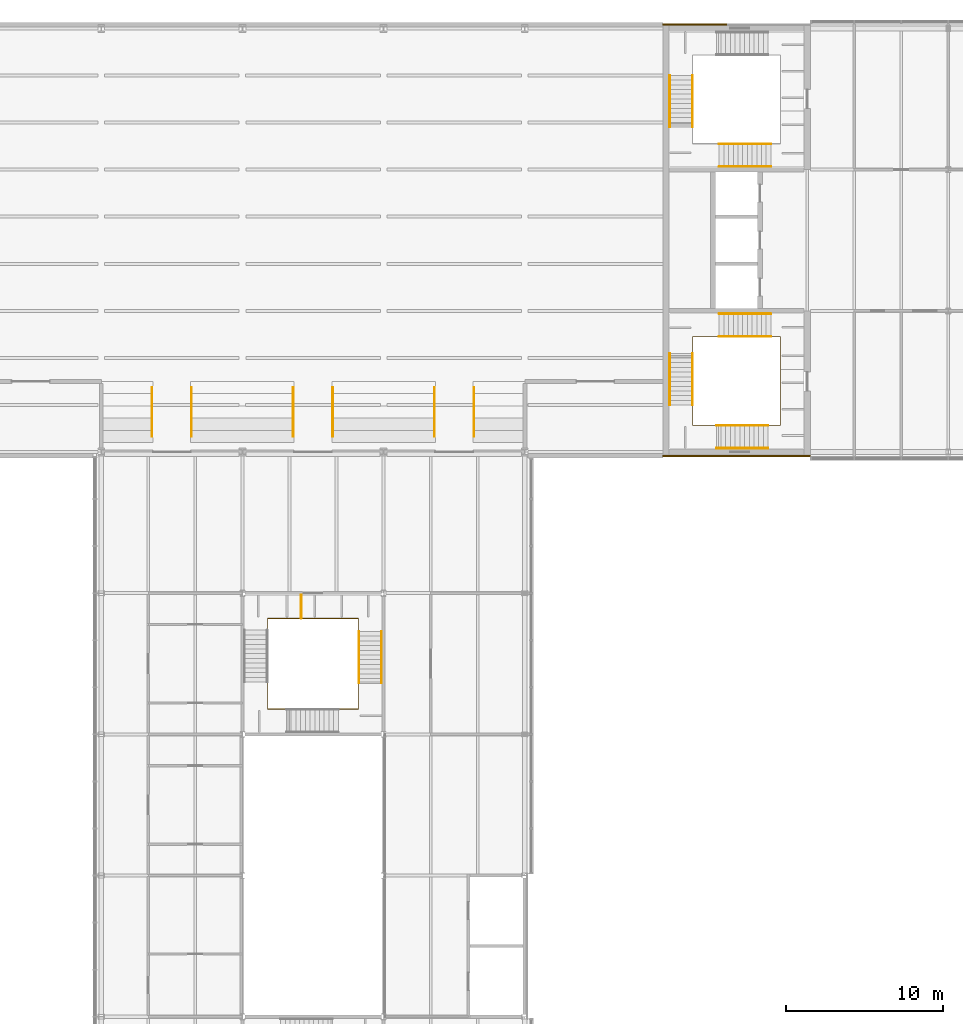
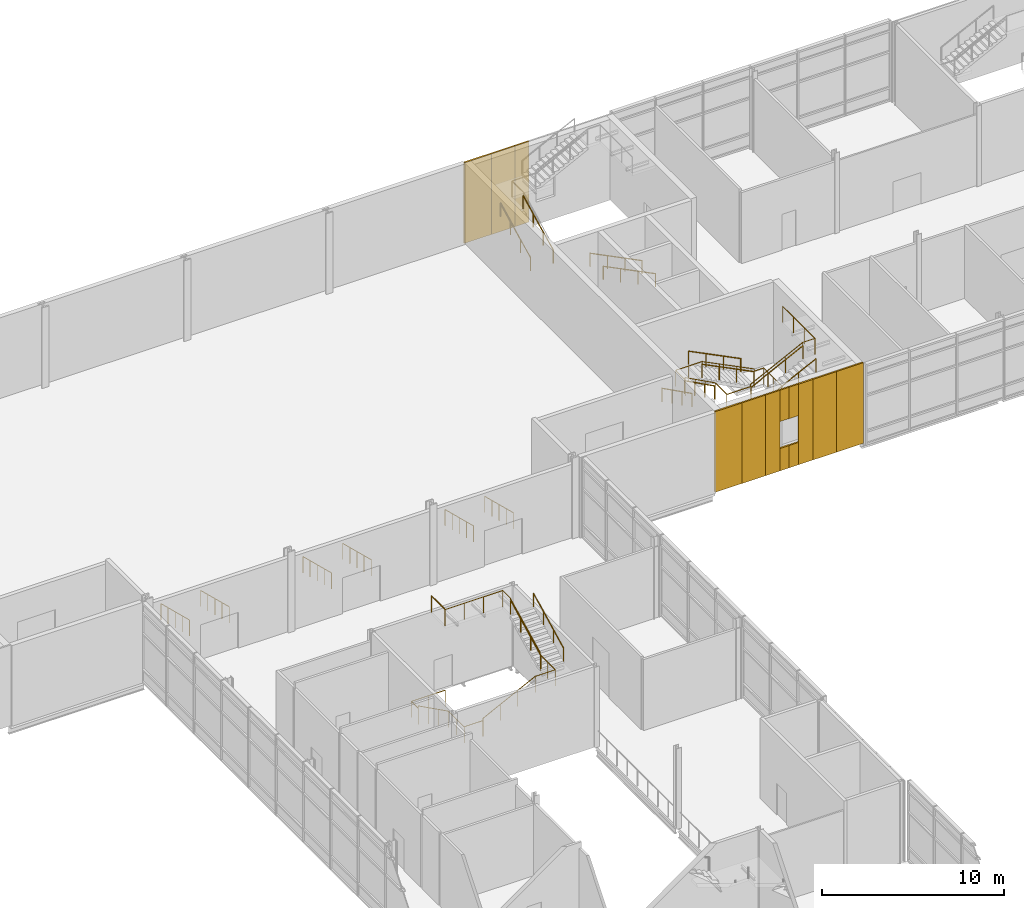
# One storey, part 49 of 52: 21 railings, 13 coverings.
"""IFC4 building model written with IfcOpenShell, lengths in metres."""

from ifc_helpers import new_model, si_unit, direction, frame, origin, origin_2d, place, context, subcontext, project, spatial, rectangle, circle, extrude, material, layer, layer_set, type_object, element, save


model = new_model("IFC4")

# Units and contexts
model_context = context("Model", 3, precision=1e-05, world=origin(), true_north=direction((0.0, 1.0)))
body_context = subcontext(model_context, "Body", "Model", "MODEL_VIEW")
ifc_project = project(units=[si_unit("LENGTHUNIT", "METRE"), si_unit("AREAUNIT", "SQUARE_METRE"), si_unit("VOLUMEUNIT", "CUBIC_METRE"), si_unit("PLANEANGLEUNIT", "RADIAN"), si_unit("MASSUNIT", "GRAM", prefix="KILO")], contexts=[model_context])

# Site, building, storey
site_placement = place(None, origin())
site = spatial("IfcSite", under=ifc_project, at=site_placement, CompositionType="ELEMENT")
building_placement = place(site_placement, origin())
building = spatial("IfcBuilding", under=site, at=building_placement, Name="Azimuth Sports and Learning Centre", CompositionType="ELEMENT")
storey_placement = place(building_placement, frame((0.0, 0.0, 16.199951171875)))
storey = spatial("IfcBuildingStorey", under=building, at=storey_placement, Name="L03", CompositionType="ELEMENT", Elevation=16.199951171875)

# Coverings
ifc_material_1 = material(Name="Cladding panel")
ifc_layer = layer(ifc_material_1, 0.10009765625)
ifc_layer_set = layer_set([ifc_layer], Name="Cladding panel")
covering_type = type_object("IfcCoveringType", Name="Cladding panel 100", PredefinedType="CLADDING", material=ifc_layer_set)
covering_1_placement = place(storey_placement, frame((108.64990234375, 89.75, 0.0), z_axis=(0.0, 0.0, 1.0), x_axis=(1.0, 0.0, 0.0)))
element("IfcCovering", 1, at=covering_1_placement, inside=storey, type_object=covering_type, Name="Cladding panel S-CORE E L03 1", PredefinedType="CLADDING", context=body_context, shape_type="SweptSolid", body=[
    extrude(rectangle(XDim=1.699951171875, YDim=0.10009765625, at=origin_2d()), origin(), (0.0, 0.0, 1.0), 5.39990234375),
])
covering_2_placement = place(storey_placement, frame((110.25, 89.75, 0.0), z_axis=(0.0, 0.0, 1.0), x_axis=(1.0, 0.0, 0.0)))
element("IfcCovering", 2, at=covering_2_placement, inside=storey, type_object=covering_type, Name="Cladding panel S-CORE E L03 2", PredefinedType="CLADDING", context=body_context, shape_type="SweptSolid", body=[
    extrude(rectangle(XDim=1.5, YDim=0.10009765625, at=origin_2d()), origin(), (0.0, 0.0, 1.0), 5.39990234375),
])
covering_3_placement = place(storey_placement, frame((111.449951171875, 89.75, 0.0), z_axis=(0.0, 0.0, 1.0), x_axis=(1.0, 0.0, 0.0)))
element("IfcCovering", 3, at=covering_3_placement, inside=storey, type_object=covering_type, Name="Cladding panel S-CORE E L03 3", PredefinedType="CLADDING", context=body_context, shape_type="SweptSolid", body=[
    extrude(rectangle(XDim=0.89990234375, YDim=0.10009765625, at=origin_2d()), origin(), (0.0, 0.0, 1.0), 5.39990234375),
])
covering_4_placement = place(storey_placement, frame((112.199951171875, 89.75, 0.0), z_axis=(0.0, 0.0, 1.0), x_axis=(1.0, 0.0, 0.0)))
element("IfcCovering", 4, at=covering_4_placement, inside=storey, type_object=covering_type, Name="Cladding panel S-CORE E L03 4", PredefinedType="CLADDING", context=body_context, shape_type="SweptSolid", body=[
    extrude(rectangle(XDim=0.60009765625, YDim=0.10009765625, at=origin_2d()), origin(), (0.0, 0.0, 1.0), 1.5),
])
covering_5_placement = place(storey_placement, frame((112.199951171875, 89.75, 3.300048828125), z_axis=(0.0, 0.0, 1.0), x_axis=(1.0, 0.0, 0.0)))
element("IfcCovering", 5, at=covering_5_placement, inside=storey, type_object=covering_type, Name="Cladding panel S-CORE E L03 5", PredefinedType="CLADDING", context=body_context, shape_type="SweptSolid", body=[
    extrude(rectangle(XDim=0.60009765625, YDim=0.10009765625, at=origin_2d()), origin(), (0.0, 0.0, 1.0), 2.10009765625),
])
covering_6_placement = place(storey_placement, frame((113.550048828125, 89.75, 0.0), z_axis=(0.0, 0.0, 1.0), x_axis=(1.0, 0.0, 0.0)))
element("IfcCovering", 6, at=covering_6_placement, inside=storey, type_object=covering_type, Name="Cladding panel S-CORE E L03 6", PredefinedType="CLADDING", context=body_context, shape_type="SweptSolid", body=[
    extrude(rectangle(XDim=0.89990234375, YDim=0.10009765625, at=origin_2d()), origin(), (0.0, 0.0, 1.0), 5.39990234375),
])
covering_7_placement = place(storey_placement, frame((112.800048828125, 89.75, 0.0), z_axis=(0.0, 0.0, 1.0), x_axis=(1.0, 0.0, 0.0)))
element("IfcCovering", 7, at=covering_7_placement, inside=storey, type_object=covering_type, Name="Cladding panel S-CORE E L03 7", PredefinedType="CLADDING", context=body_context, shape_type="SweptSolid", body=[
    extrude(rectangle(XDim=0.60009765625, YDim=0.10009765625, at=origin_2d()), origin(), (0.0, 0.0, 1.0), 1.5),
])
covering_8_placement = place(storey_placement, frame((112.800048828125, 89.75, 3.300048828125), z_axis=(0.0, 0.0, 1.0), x_axis=(1.0, 0.0, 0.0)))
element("IfcCovering", 8, at=covering_8_placement, inside=storey, type_object=covering_type, Name="Cladding panel S-CORE E L03 8", PredefinedType="CLADDING", context=body_context, shape_type="SweptSolid", body=[
    extrude(rectangle(XDim=0.60009765625, YDim=0.10009765625, at=origin_2d()), origin(), (0.0, 0.0, 1.0), 2.10009765625),
])
covering_9_placement = place(storey_placement, frame((114.75, 89.75, 0.0), z_axis=(0.0, 0.0, 1.0), x_axis=(1.0, 0.0, 0.0)))
element("IfcCovering", 9, at=covering_9_placement, inside=storey, type_object=covering_type, Name="Cladding panel S-CORE E L03 9", PredefinedType="CLADDING", context=body_context, shape_type="SweptSolid", body=[
    extrude(rectangle(XDim=1.5, YDim=0.10009765625, at=origin_2d()), origin(), (0.0, 0.0, 1.0), 5.39990234375),
])
covering_10_placement = place(storey_placement, frame((116.35009765625, 89.75, 0.0), z_axis=(0.0, 0.0, 1.0), x_axis=(1.0, 0.0, 0.0)))
element("IfcCovering", 10, at=covering_10_placement, inside=storey, type_object=covering_type, Name="Cladding panel S-CORE E L03 10", PredefinedType="CLADDING", context=body_context, shape_type="SweptSolid", body=[
    extrude(rectangle(XDim=1.699951171875, YDim=0.10009765625, at=origin_2d()), origin(), (0.0, 0.0, 1.0), 5.39990234375),
])
covering_11_placement = place(storey_placement, frame((111.449951171875, 117.25, 0.0), z_axis=(0.0, 0.0, 1.0), x_axis=(-1.0, 0.0, 0.0)))
element("IfcCovering", 11, at=covering_11_placement, inside=storey, type_object=covering_type, Name="Cladding panel N-CORE E L03 6", PredefinedType="CLADDING", context=body_context, shape_type="SweptSolid", body=[
    extrude(rectangle(XDim=0.89990234375, YDim=0.10009765625, at=origin_2d()), origin(), (0.0, 0.0, 1.0), 5.39990234375),
])
covering_12_placement = place(storey_placement, frame((110.25, 117.25, 0.0), z_axis=(0.0, 0.0, 1.0), x_axis=(-1.0, 0.0, 0.0)))
element("IfcCovering", 12, at=covering_12_placement, inside=storey, type_object=covering_type, Name="Cladding panel N-CORE E L03 9", PredefinedType="CLADDING", context=body_context, shape_type="SweptSolid", body=[
    extrude(rectangle(XDim=1.5, YDim=0.10009765625, at=origin_2d()), origin(), (0.0, 0.0, 1.0), 5.39990234375),
])
covering_13_placement = place(storey_placement, frame((108.64990234375, 117.25, 0.0), z_axis=(0.0, 0.0, 1.0), x_axis=(-1.0, 0.0, 0.0)))
element("IfcCovering", 13, at=covering_13_placement, inside=storey, type_object=covering_type, Name="Cladding panel N-CORE E L03 10", PredefinedType="CLADDING", context=body_context, shape_type="SweptSolid", body=[
    extrude(rectangle(XDim=1.699951171875, YDim=0.10009765625, at=origin_2d()), origin(), (0.0, 0.0, 1.0), 5.39990234375),
])

# Railings
ifc_material_2 = material(Name="Steel balustrade", Category="steel")
railing_type_1 = type_object("IfcRailingType", Name="Guard 1100", PredefinedType="GUARDRAIL", material=ifc_material_2)
for number, where, name in (
    (14, (75.239990234375, 94.110107421875, 0.199951171875), "Bank aisle guard B1"),
    (15, (77.760009765625, 94.110107421875, 0.199951171875), "Bank aisle guard B2"),
    (16, (84.239990234375, 94.110107421875, 0.199951171875), "Bank aisle guard B3"),
    (17, (86.760009765625, 94.110107421875, 0.199951171875), "Bank aisle guard B4"),
    (18, (93.239990234375, 94.110107421875, 0.199951171875), "Bank aisle guard B5"),
    (19, (95.760009765625, 94.110107421875, 0.199951171875), "Bank aisle guard B6"),
):
    element("IfcRailing", number, at=place(storey_placement, frame(where)), inside=storey, type_object=railing_type_1, Name=name, PredefinedType="GUARDRAIL", context=body_context, shape_type="SweptSolid", body=[
        extrude(circle(Radius=0.02392578125, at=origin_2d()), frame((0.0, 0.0, 1.076171875), z_axis=(0.0, -0.968607734554, 0.248594160355), x_axis=(1.0, 0.0, 0.0)), (0.0, 0.0, 1.0), 0.805419921875),
        extrude(circle(Radius=0.02392578125, at=origin_2d()), frame((0.0, -0.780029296875, 1.2763671875), z_axis=(0.0, -0.96868069712, 0.248309699825), x_axis=(1.0, 0.0, 0.0)), (0.0, 0.0, 1.0), 0.80517578125),
        extrude(circle(Radius=0.02392578125, at=origin_2d()), frame((0.0, -1.56005859375, 1.47607421875), z_axis=(0.0, -0.96868069712, 0.248309699825), x_axis=(1.0, 0.0, 0.0)), (0.0, 0.0, 1.0), 0.80517578125),
        extrude(circle(Radius=0.02392578125, at=origin_2d()), frame((0.0, -2.340087890625, 1.67626953125), z_axis=(0.0, -0.96868069712, 0.248309699825), x_axis=(1.0, 0.0, 0.0)), (0.0, 0.0, 1.0), 0.80517578125),
        extrude(circle(Radius=0.02099609375, at=origin_2d()), origin(), (0.0, 0.0, 1.0), 1.052001953125),
        extrude(circle(Radius=0.02099609375, at=origin_2d()), frame((0.0, -0.780029296875, 0.2001953125)), (0.0, 0.0, 1.0), 1.052001953125),
        extrude(circle(Radius=0.02099609375, at=origin_2d()), frame((0.0, -1.56005859375, 0.400146484375)), (0.0, 0.0, 1.0), 1.052001953125),
        extrude(circle(Radius=0.02099609375, at=origin_2d()), frame((0.0, -2.340087890625, 0.60009765625)), (0.0, 0.0, 1.0), 1.052001953125),
        extrude(circle(Radius=0.02099609375, at=origin_2d()), frame((0.0, -3.1201171875, 0.800048828125)), (0.0, 0.0, 1.0), 1.052001953125),
    ])
ifc_material_3 = material(Name="Stainless steel", Category="steel")
railing_type_2 = type_object("IfcRailingType", Name="Stair guard 1100", PredefinedType="GUARDRAIL", material=ifc_material_3)
railing_1_placement = place(storey_placement, frame((115.2900390625, 95.25, 0.0)))
element("IfcRailing", 20, at=railing_1_placement, inside=storey, type_object=railing_type_2, Name="Guard E1 L03 well", PredefinedType="GUARDRAIL", context=body_context, shape_type="SweptSolid", body=[
    extrude(circle(Radius=0.02392578125, at=origin_2d()), frame((0.0, 0.0, 1.076171875), z_axis=(0.0, 1.0, 0.0), x_axis=(-1.0, 0.0, 0.0)), (0.0, 0.0, 1.0), 2.090087890625),
    extrude(circle(Radius=0.02392578125, at=origin_2d()), frame((0.0, 2.090087890625, 1.076171875), z_axis=(-1.0, 0.0, 0.0), x_axis=(0.0, -1.0, 0.0)), (0.0, 0.0, 1.0), 0.60009765625),
    extrude(circle(Radius=0.02392578125, at=origin_2d()), frame((-0.60009765625, 2.090087890625, 1.076171875), z_axis=(0.0, 0.0, 1.0), x_axis=(1.0, 0.0, 0.0)), (0.0, 0.0, 1.0), 0.150146484375),
    extrude(circle(Radius=0.02392578125, at=origin_2d()), frame((-0.60009765625, 2.090087890625, 1.22607421875), z_axis=(-0.894440424912, 0.0, 0.447187126696), x_axis=(0.0, -1.0, 0.0)), (0.0, 0.0, 1.0), 3.689453125),
    extrude(circle(Radius=0.02392578125, at=origin_2d()), frame((-3.900146484375, 2.090087890625, 2.8759765625), z_axis=(-1.0, 0.0, 0.0), x_axis=(0.0, -1.0, 0.0)), (0.0, 0.0, 1.0), 1.679931640625),
    extrude(circle(Radius=0.02392578125, at=origin_2d()), frame((-5.580078125, 2.090087890625, 2.8759765625), z_axis=(0.0, -1.0, 0.0), x_axis=(1.0, 0.0, 0.0)), (0.0, 0.0, 1.0), 1.050048828125),
    extrude(circle(Radius=0.02392578125, at=origin_2d()), frame((-5.580078125, 1.0400390625, 2.8759765625), z_axis=(0.0, 0.0, 1.0), x_axis=(1.0, 0.0, 0.0)), (0.0, 0.0, 1.0), 0.14990234375),
    extrude(circle(Radius=0.02392578125, at=origin_2d()), frame((-5.580078125, 1.0400390625, 3.02587890625), z_axis=(0.0, -0.894413956696, 0.447240063129), x_axis=(1.0, 0.0, 0.0)), (0.0, 0.0, 1.0), 3.689697265625),
    extrude(circle(Radius=0.02392578125, at=origin_2d()), frame((-5.580078125, -2.260009765625, 4.67626953125), z_axis=(0.0, -1.0, 0.0), x_axis=(1.0, 0.0, 0.0)), (0.0, 0.0, 1.0), 1.280029296875),
    extrude(circle(Radius=0.02392578125, at=origin_2d()), frame((-5.580078125, -3.5400390625, 4.67626953125), z_axis=(1.0, 0.0, 0.0), x_axis=(0.0, 1.0, 0.0)), (0.0, 0.0, 1.0), 1.5),
    extrude(circle(Radius=0.02392578125, at=origin_2d()), frame((-4.080078125, -3.5400390625, 4.67626953125), z_axis=(0.0, 0.0, 1.0), x_axis=(1.0, 0.0, 0.0)), (0.0, 0.0, 1.0), 0.14990234375),
    extrude(circle(Radius=0.02392578125, at=origin_2d()), frame((-4.080078125, -3.5400390625, 4.826171875), z_axis=(0.894413956696, 0.0, 0.447240063129), x_axis=(0.0, 1.0, 0.0)), (0.0, 0.0, 1.0), 3.689697265625),
    extrude(circle(Radius=0.02392578125, at=origin_2d()), frame((-0.780029296875, -3.5400390625, 6.47607421875), z_axis=(1.0, 0.0, 0.0), x_axis=(0.0, 1.0, 0.0)), (0.0, 0.0, 1.0), 0.780029296875),
    extrude(circle(Radius=0.02392578125, at=origin_2d()), frame((0.0, -3.5400390625, 6.47607421875), z_axis=(0.0, 1.0, 0.0), x_axis=(-1.0, 0.0, 0.0)), (0.0, 0.0, 1.0), 3.5400390625),
    extrude(circle(Radius=0.01611328125, at=origin_2d()), origin(), (0.0, 0.0, 1.0), 1.052001953125),
    extrude(circle(Radius=0.01611328125, at=origin_2d()), frame((0.0, 1.044921875, 0.0)), (0.0, 0.0, 1.0), 1.052001953125),
    extrude(circle(Radius=0.01611328125, at=origin_2d()), frame((0.0, 2.090087890625, 0.0)), (0.0, 0.0, 1.0), 1.052001953125),
    extrude(circle(Radius=0.01611328125, at=origin_2d()), frame((-0.60009765625, 2.090087890625, 0.0)), (0.0, 0.0, 1.0), 1.052001953125),
    extrude(circle(Radius=0.01611328125, at=origin_2d()), frame((-0.60009765625, 2.090087890625, 0.150146484375)), (0.0, 0.0, 1.0), 1.052001953125),
    extrude(circle(Radius=0.01611328125, at=origin_2d()), frame((-1.7001953125, 2.090087890625, 0.7001953125)), (0.0, 0.0, 1.0), 1.052001953125),
    extrude(circle(Radius=0.01611328125, at=origin_2d()), frame((-2.800048828125, 2.090087890625, 1.25)), (0.0, 0.0, 1.0), 1.052001953125),
    extrude(circle(Radius=0.01611328125, at=origin_2d()), frame((-3.900146484375, 2.090087890625, 1.800048828125)), (0.0, 0.0, 1.0), 1.052001953125),
    extrude(circle(Radius=0.01611328125, at=origin_2d()), frame((-4.740234375, 2.090087890625, 1.800048828125)), (0.0, 0.0, 1.0), 1.052001953125),
    extrude(circle(Radius=0.01611328125, at=origin_2d()), frame((-5.580078125, 2.090087890625, 1.800048828125)), (0.0, 0.0, 1.0), 1.052001953125),
    extrude(circle(Radius=0.01611328125, at=origin_2d()), frame((-5.580078125, 1.0400390625, 1.800048828125)), (0.0, 0.0, 1.0), 1.052001953125),
    extrude(circle(Radius=0.01611328125, at=origin_2d()), frame((-5.580078125, 1.0400390625, 1.949951171875)), (0.0, 0.0, 1.0), 1.052001953125),
    extrude(circle(Radius=0.01611328125, at=origin_2d()), frame((-5.580078125, -0.06005859375, 2.5)), (0.0, 0.0, 1.0), 1.052001953125),
    extrude(circle(Radius=0.01611328125, at=origin_2d()), frame((-5.580078125, -1.159912109375, 3.050048828125)), (0.0, 0.0, 1.0), 1.052001953125),
    extrude(circle(Radius=0.01611328125, at=origin_2d()), frame((-5.580078125, -2.260009765625, 3.60009765625)), (0.0, 0.0, 1.0), 1.052001953125),
    extrude(circle(Radius=0.01611328125, at=origin_2d()), frame((-5.580078125, -3.5400390625, 3.60009765625)), (0.0, 0.0, 1.0), 1.052001953125),
    extrude(circle(Radius=0.01611328125, at=origin_2d()), frame((-4.080078125, -3.5400390625, 3.60009765625)), (0.0, 0.0, 1.0), 1.052001953125),
    extrude(circle(Radius=0.01611328125, at=origin_2d()), frame((-4.080078125, -3.5400390625, 3.75)), (0.0, 0.0, 1.0), 1.052001953125),
    extrude(circle(Radius=0.01611328125, at=origin_2d()), frame((-2.97998046875, -3.5400390625, 4.300048828125)), (0.0, 0.0, 1.0), 1.052001953125),
    extrude(circle(Radius=0.01611328125, at=origin_2d()), frame((-1.880126953125, -3.5400390625, 4.85009765625)), (0.0, 0.0, 1.0), 1.052001953125),
    extrude(circle(Radius=0.01611328125, at=origin_2d()), frame((-0.780029296875, -3.5400390625, 5.400146484375)), (0.0, 0.0, 1.0), 1.052001953125),
    extrude(circle(Radius=0.01611328125, at=origin_2d()), frame((0.0, -3.5400390625, 5.400146484375)), (0.0, 0.0, 1.0), 1.052001953125),
    extrude(circle(Radius=0.01611328125, at=origin_2d()), frame((0.0, -2.360107421875, 5.400146484375)), (0.0, 0.0, 1.0), 1.052001953125),
    extrude(circle(Radius=0.01611328125, at=origin_2d()), frame((0.0, -1.179931640625, 5.400146484375)), (0.0, 0.0, 1.0), 1.052001953125),
    extrude(circle(Radius=0.01611328125, at=origin_2d()), frame((0.0, 0.0, 5.400146484375)), (0.0, 0.0, 1.0), 1.052001953125),
])
railing_2_placement = place(storey_placement, frame((84.75, 79.389892578125, 0.0)))
element("IfcRailing", 21, at=railing_2_placement, inside=storey, type_object=railing_type_2, Name="Guard STD L03 well", PredefinedType="GUARDRAIL", context=body_context, shape_type="SweptSolid", body=[
    extrude(circle(Radius=0.02392578125, at=origin_2d()), frame((0.0, 0.0, 1.076171875), z_axis=(-1.0, 0.0, 0.0), x_axis=(0.0, -1.0, 0.0)), (0.0, 0.0, 1.0), 2.139892578125),
    extrude(circle(Radius=0.02392578125, at=origin_2d()), frame((-2.139892578125, 0.0, 1.076171875), z_axis=(0.0, -1.0, 0.0), x_axis=(1.0, 0.0, 0.0)), (0.0, 0.0, 1.0), 0.75),
    extrude(circle(Radius=0.02392578125, at=origin_2d()), frame((-2.139892578125, -0.75, 1.076171875), z_axis=(0.0, 0.0, 1.0), x_axis=(1.0, 0.0, 0.0)), (0.0, 0.0, 1.0), 0.150146484375),
    extrude(circle(Radius=0.02392578125, at=origin_2d()), frame((-2.139892578125, -0.75, 1.22607421875), z_axis=(0.0, -0.894427191, 0.4472135955), x_axis=(1.0, 0.0, 0.0)), (0.0, 0.0, 1.0), 3.689208984375),
    extrude(circle(Radius=0.02392578125, at=origin_2d()), frame((-2.139892578125, -4.0498046875, 2.8759765625), z_axis=(0.0, -1.0, 0.0), x_axis=(1.0, 0.0, 0.0)), (0.0, 0.0, 1.0), 1.72998046875),
    extrude(circle(Radius=0.02392578125, at=origin_2d()), frame((-2.139892578125, -5.77978515625, 2.8759765625), z_axis=(1.0, 0.0, 0.0), x_axis=(0.0, 1.0, 0.0)), (0.0, 0.0, 1.0), 1.199951171875),
    extrude(circle(Radius=0.02392578125, at=origin_2d()), frame((-0.93994140625, -5.77978515625, 2.8759765625), z_axis=(0.0, 0.0, 1.0), x_axis=(1.0, 0.0, 0.0)), (0.0, 0.0, 1.0), 0.14990234375),
    extrude(circle(Radius=0.02392578125, at=origin_2d()), frame((-0.93994140625, -5.77978515625, 3.02587890625), z_axis=(0.894413956696, 0.0, 0.447240063129), x_axis=(0.0, 1.0, 0.0)), (0.0, 0.0, 1.0), 3.689697265625),
    extrude(circle(Radius=0.02392578125, at=origin_2d()), frame((2.360107421875, -5.77978515625, 4.67626953125), z_axis=(1.0, 0.0, 0.0), x_axis=(0.0, 1.0, 0.0)), (0.0, 0.0, 1.0), 1.27978515625),
    extrude(circle(Radius=0.02392578125, at=origin_2d()), frame((3.639892578125, -5.77978515625, 4.67626953125), z_axis=(0.0, 1.0, 0.0), x_axis=(-1.0, 0.0, 0.0)), (0.0, 0.0, 1.0), 1.64990234375),
    extrude(circle(Radius=0.02392578125, at=origin_2d()), frame((3.639892578125, -4.1298828125, 4.67626953125), z_axis=(0.0, 0.0, 1.0), x_axis=(1.0, 0.0, 0.0)), (0.0, 0.0, 1.0), 0.14990234375),
    extrude(circle(Radius=0.02392578125, at=origin_2d()), frame((3.639892578125, -4.1298828125, 4.826171875), z_axis=(0.0, 0.894413956696, 0.447240063129), x_axis=(-1.0, 0.0, 0.0)), (0.0, 0.0, 1.0), 3.689697265625),
    extrude(circle(Radius=0.02392578125, at=origin_2d()), frame((3.639892578125, -0.829833984375, 6.47607421875), z_axis=(0.0, 1.0, 0.0), x_axis=(-1.0, 0.0, 0.0)), (0.0, 0.0, 1.0), 0.829833984375),
    extrude(circle(Radius=0.02392578125, at=origin_2d()), frame((3.639892578125, 0.0, 6.47607421875), z_axis=(-1.0, 0.0, 0.0), x_axis=(0.0, -1.0, 0.0)), (0.0, 0.0, 1.0), 3.639892578125),
    extrude(circle(Radius=0.01611328125, at=origin_2d()), origin(), (0.0, 0.0, 1.0), 1.052001953125),
    extrude(circle(Radius=0.01611328125, at=origin_2d()), frame((-1.06982421875, 0.0, 0.0)), (0.0, 0.0, 1.0), 1.052001953125),
    extrude(circle(Radius=0.01611328125, at=origin_2d()), frame((-2.139892578125, 0.0, 0.0)), (0.0, 0.0, 1.0), 1.052001953125),
    extrude(circle(Radius=0.01611328125, at=origin_2d()), frame((-2.139892578125, -0.75, 0.0)), (0.0, 0.0, 1.0), 1.052001953125),
    extrude(circle(Radius=0.01611328125, at=origin_2d()), frame((-2.139892578125, -0.75, 0.150146484375)), (0.0, 0.0, 1.0), 1.052001953125),
    extrude(circle(Radius=0.01611328125, at=origin_2d()), frame((-2.139892578125, -1.849853515625, 0.7001953125)), (0.0, 0.0, 1.0), 1.052001953125),
    extrude(circle(Radius=0.01611328125, at=origin_2d()), frame((-2.139892578125, -2.949951171875, 1.25)), (0.0, 0.0, 1.0), 1.052001953125),
    extrude(circle(Radius=0.01611328125, at=origin_2d()), frame((-2.139892578125, -4.0498046875, 1.800048828125)), (0.0, 0.0, 1.0), 1.052001953125),
    extrude(circle(Radius=0.01611328125, at=origin_2d()), frame((-2.139892578125, -4.914794921875, 1.800048828125)), (0.0, 0.0, 1.0), 1.052001953125),
    extrude(circle(Radius=0.01611328125, at=origin_2d()), frame((-2.139892578125, -5.77978515625, 1.800048828125)), (0.0, 0.0, 1.0), 1.052001953125),
    extrude(circle(Radius=0.01611328125, at=origin_2d()), frame((-0.93994140625, -5.77978515625, 1.800048828125)), (0.0, 0.0, 1.0), 1.052001953125),
    extrude(circle(Radius=0.01611328125, at=origin_2d()), frame((-0.93994140625, -5.77978515625, 1.949951171875)), (0.0, 0.0, 1.0), 1.052001953125),
    extrude(circle(Radius=0.01611328125, at=origin_2d()), frame((0.16015625, -5.77978515625, 2.5)), (0.0, 0.0, 1.0), 1.052001953125),
    extrude(circle(Radius=0.01611328125, at=origin_2d()), frame((1.260009765625, -5.77978515625, 3.050048828125)), (0.0, 0.0, 1.0), 1.052001953125),
    extrude(circle(Radius=0.01611328125, at=origin_2d()), frame((2.360107421875, -5.77978515625, 3.60009765625)), (0.0, 0.0, 1.0), 1.052001953125),
    extrude(circle(Radius=0.01611328125, at=origin_2d()), frame((3.639892578125, -5.77978515625, 3.60009765625)), (0.0, 0.0, 1.0), 1.052001953125),
    extrude(circle(Radius=0.01611328125, at=origin_2d()), frame((3.639892578125, -4.954833984375, 3.60009765625)), (0.0, 0.0, 1.0), 1.052001953125),
    extrude(circle(Radius=0.01611328125, at=origin_2d()), frame((3.639892578125, -4.1298828125, 3.60009765625)), (0.0, 0.0, 1.0), 1.052001953125),
    extrude(circle(Radius=0.01611328125, at=origin_2d()), frame((3.639892578125, -4.1298828125, 3.75)), (0.0, 0.0, 1.0), 1.052001953125),
    extrude(circle(Radius=0.01611328125, at=origin_2d()), frame((3.639892578125, -3.02978515625, 4.300048828125)), (0.0, 0.0, 1.0), 1.052001953125),
    extrude(circle(Radius=0.01611328125, at=origin_2d()), frame((3.639892578125, -1.929931640625, 4.85009765625)), (0.0, 0.0, 1.0), 1.052001953125),
    extrude(circle(Radius=0.01611328125, at=origin_2d()), frame((3.639892578125, -0.829833984375, 5.400146484375)), (0.0, 0.0, 1.0), 1.052001953125),
    extrude(circle(Radius=0.01611328125, at=origin_2d()), frame((3.639892578125, 0.0, 5.400146484375)), (0.0, 0.0, 1.0), 1.052001953125),
    extrude(circle(Radius=0.01611328125, at=origin_2d()), frame((2.426513671875, 0.0, 5.400146484375)), (0.0, 0.0, 1.0), 1.052001953125),
    extrude(circle(Radius=0.01611328125, at=origin_2d()), frame((1.21337890625, 0.0, 5.400146484375)), (0.0, 0.0, 1.0), 1.052001953125),
    extrude(circle(Radius=0.01611328125, at=origin_2d()), frame((0.0, 0.0, 5.400146484375)), (0.0, 0.0, 1.0), 1.052001953125),
])
railing_3_placement = place(storey_placement, frame((84.75, 79.389892578125, 5.400146484375)))
element("IfcRailing", 22, at=railing_3_placement, inside=storey, type_object=railing_type_2, Name="Guard STD L03 top landing end", PredefinedType="GUARDRAIL", context=body_context, shape_type="SweptSolid", body=[
    extrude(circle(Radius=0.02392578125, at=origin_2d()), frame((0.0, 0.0, 1.076171875), z_axis=(0.0, 1.0, 0.0), x_axis=(-1.0, 0.0, 0.0)), (0.0, 0.0, 1.0), 1.5),
    extrude(circle(Radius=0.01611328125, at=origin_2d()), origin(), (0.0, 0.0, 1.0), 1.052001953125),
    extrude(circle(Radius=0.01611328125, at=origin_2d()), frame((0.0, 1.5, 0.0)), (0.0, 0.0, 1.0), 1.052001953125),
])
ifc_material_4 = material(Name="Stainless steel", Category="steel")
railing_type_3 = type_object("IfcRailingType", Name="Stair handrail 42", PredefinedType="HANDRAIL", material=ifc_material_4)
for number, where, name in (
    (23, (114.68994140625, 97.3701171875, 0.150146484375), "Handrail E1 L03 flight 1 inner"),
    (24, (114.68994140625, 98.81005859375, 0.150146484375), "Handrail E1 L03 flight 1 outer"),
):
    element("IfcRailing", number, at=place(storey_placement, frame(where)), inside=storey, type_object=railing_type_3, Name=name, PredefinedType="HANDRAIL", context=body_context, shape_type="SweptSolid", body=[
        extrude(circle(Radius=0.02099609375, at=origin_2d()), frame((0.0, 0.0, 0.87890625), z_axis=(-0.894440424912, 0.0, 0.447187126696), x_axis=(0.0, -1.0, 0.0)), (0.0, 0.0, 1.0), 3.689453125),
        extrude(circle(Radius=0.01611328125, at=origin_2d()), origin(), (0.0, 0.0, 1.0), 0.85791015625),
        extrude(circle(Radius=0.01611328125, at=origin_2d()), frame((-1.10009765625, 0.0, 0.550048828125)), (0.0, 0.0, 1.0), 0.85791015625),
        extrude(circle(Radius=0.01611328125, at=origin_2d()), frame((-2.199951171875, 0.0, 1.099853515625)), (0.0, 0.0, 1.0), 0.85791015625),
        extrude(circle(Radius=0.01611328125, at=origin_2d()), frame((-3.300048828125, 0.0, 1.64990234375)), (0.0, 0.0, 1.0), 0.85791015625),
    ])
for number, where, name in (
    (25, (109.679931640625, 96.2900390625, 1.949951171875), "Handrail E1 L03 flight 2 inner"),
    (26, (108.239990234375, 96.2900390625, 1.949951171875), "Handrail E1 L03 flight 2 outer"),
):
    element("IfcRailing", number, at=place(storey_placement, frame(where)), inside=storey, type_object=railing_type_3, Name=name, PredefinedType="HANDRAIL", context=body_context, shape_type="SweptSolid", body=[
        extrude(circle(Radius=0.02099609375, at=origin_2d()), frame((0.0, 0.0, 0.87890625), z_axis=(0.0, -0.894413956696, 0.447240063129), x_axis=(1.0, 0.0, 0.0)), (0.0, 0.0, 1.0), 3.689697265625),
        extrude(circle(Radius=0.01611328125, at=origin_2d()), origin(), (0.0, 0.0, 1.0), 0.85791015625),
        extrude(circle(Radius=0.01611328125, at=origin_2d()), frame((0.0, -1.10009765625, 0.550048828125)), (0.0, 0.0, 1.0), 0.85791015625),
        extrude(circle(Radius=0.01611328125, at=origin_2d()), frame((0.0, -2.199951171875, 1.10009765625)), (0.0, 0.0, 1.0), 0.85791015625),
        extrude(circle(Radius=0.01611328125, at=origin_2d()), frame((0.0, -3.300048828125, 1.650146484375)), (0.0, 0.0, 1.0), 0.85791015625),
    ])
for number, where, name in (
    (27, (111.2099609375, 91.679931640625, 3.75), "Handrail E1 L03 flight 3 inner"),
    (28, (111.2099609375, 90.239990234375, 3.75), "Handrail E1 L03 flight 3 outer"),
):
    element("IfcRailing", number, at=place(storey_placement, frame(where)), inside=storey, type_object=railing_type_3, Name=name, PredefinedType="HANDRAIL", context=body_context, shape_type="SweptSolid", body=[
        extrude(circle(Radius=0.02099609375, at=origin_2d()), frame((0.0, 0.0, 0.87890625), z_axis=(0.894413956696, 0.0, 0.447240063129), x_axis=(0.0, 1.0, 0.0)), (0.0, 0.0, 1.0), 3.689697265625),
        extrude(circle(Radius=0.01611328125, at=origin_2d()), origin(), (0.0, 0.0, 1.0), 0.85791015625),
        extrude(circle(Radius=0.01611328125, at=origin_2d()), frame((1.10009765625, 0.0, 0.550048828125)), (0.0, 0.0, 1.0), 0.85791015625),
        extrude(circle(Radius=0.01611328125, at=origin_2d()), frame((2.199951171875, 0.0, 1.10009765625)), (0.0, 0.0, 1.0), 0.85791015625),
        extrude(circle(Radius=0.01611328125, at=origin_2d()), frame((3.300048828125, 0.0, 1.650146484375)), (0.0, 0.0, 1.0), 0.85791015625),
    ])
for number, where, name in (
    (29, (114.68994140625, 109.6298828125, 0.150146484375), "Handrail E2 L03 flight 1 inner"),
    (30, (114.68994140625, 108.18994140625, 0.150146484375), "Handrail E2 L03 flight 1 outer"),
):
    element("IfcRailing", number, at=place(storey_placement, frame(where)), inside=storey, type_object=railing_type_3, Name=name, PredefinedType="HANDRAIL", context=body_context, shape_type="SweptSolid", body=[
        extrude(circle(Radius=0.02099609375, at=origin_2d()), frame((0.0, 0.0, 0.87890625), z_axis=(-0.894440424912, 0.0, 0.447187126696), x_axis=(0.0, -1.0, 0.0)), (0.0, 0.0, 1.0), 3.689453125),
        extrude(circle(Radius=0.01611328125, at=origin_2d()), origin(), (0.0, 0.0, 1.0), 0.85791015625),
        extrude(circle(Radius=0.01611328125, at=origin_2d()), frame((-1.10009765625, 0.0, 0.550048828125)), (0.0, 0.0, 1.0), 0.85791015625),
        extrude(circle(Radius=0.01611328125, at=origin_2d()), frame((-2.199951171875, 0.0, 1.099853515625)), (0.0, 0.0, 1.0), 0.85791015625),
        extrude(circle(Radius=0.01611328125, at=origin_2d()), frame((-3.300048828125, 0.0, 1.64990234375)), (0.0, 0.0, 1.0), 0.85791015625),
    ])
for number, where, name in (
    (31, (109.679931640625, 110.7099609375, 1.949951171875), "Handrail E2 L03 flight 2 inner"),
    (32, (108.239990234375, 110.7099609375, 1.949951171875), "Handrail E2 L03 flight 2 outer"),
    (33, (88.419921875, 75.260009765625, 3.75), "Handrail STD L03 flight 3 inner"),
    (34, (89.860107421875, 75.260009765625, 3.75), "Handrail STD L03 flight 3 outer"),
):
    element("IfcRailing", number, at=place(storey_placement, frame(where)), inside=storey, type_object=railing_type_3, Name=name, PredefinedType="HANDRAIL", context=body_context, shape_type="SweptSolid", body=[
        extrude(circle(Radius=0.02099609375, at=origin_2d()), frame((0.0, 0.0, 0.87890625), z_axis=(0.0, 0.894413956696, 0.447240063129), x_axis=(-1.0, 0.0, 0.0)), (0.0, 0.0, 1.0), 3.689697265625),
        extrude(circle(Radius=0.01611328125, at=origin_2d()), origin(), (0.0, 0.0, 1.0), 0.85791015625),
        extrude(circle(Radius=0.01611328125, at=origin_2d()), frame((0.0, 1.10009765625, 0.550048828125)), (0.0, 0.0, 1.0), 0.85791015625),
        extrude(circle(Radius=0.01611328125, at=origin_2d()), frame((0.0, 2.199951171875, 1.10009765625)), (0.0, 0.0, 1.0), 0.85791015625),
        extrude(circle(Radius=0.01611328125, at=origin_2d()), frame((0.0, 3.300048828125, 1.650146484375)), (0.0, 0.0, 1.0), 0.85791015625),
    ])

save(model, "model.ifc")
